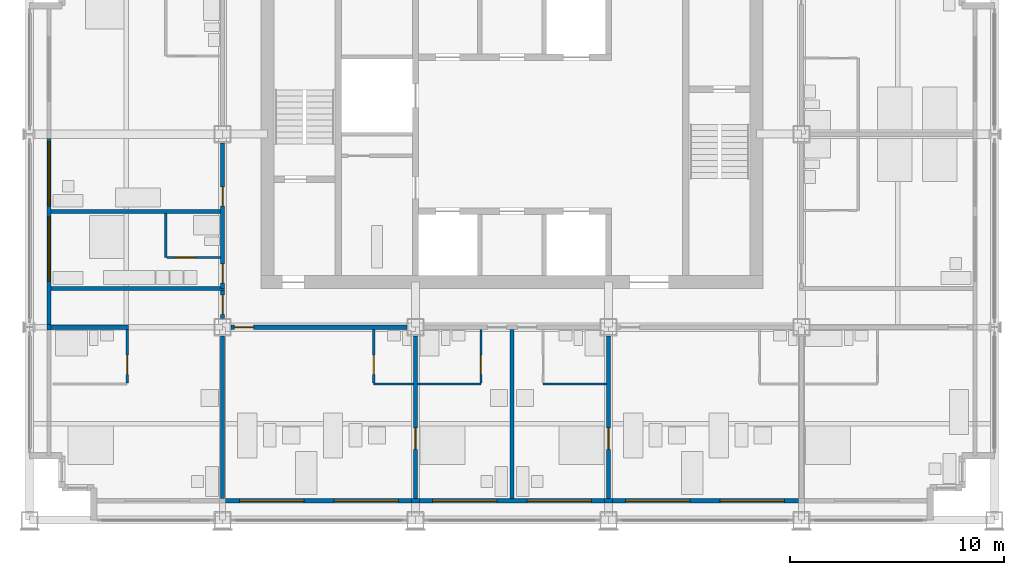
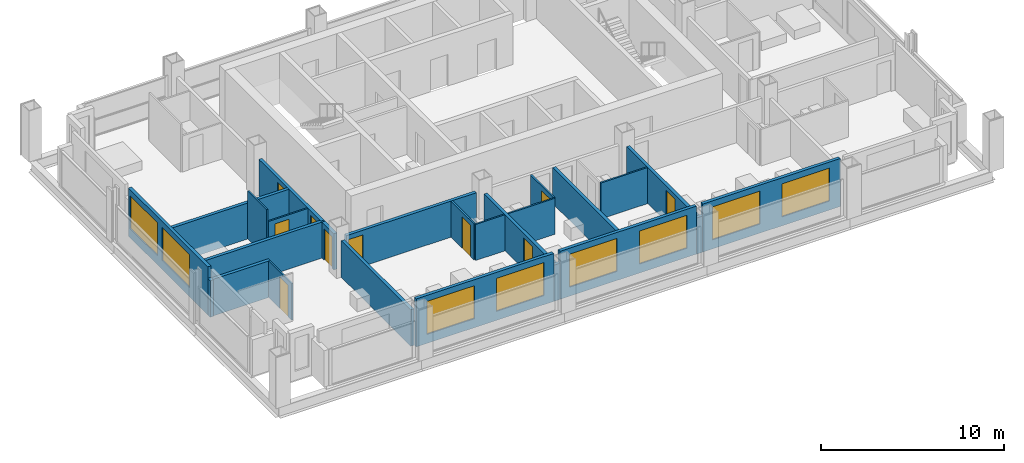
# One storey, part 7 of 13: 25 walls, 10 doors, 8 windows, 18 openings.
"""IFC4 building model written with IfcOpenShell, lengths in metres."""

from ifc_helpers import new_model, si_unit, direction, frame, frame_2d, origin, place, context, subcontext, project, spatial, rectangle, extrude, material, layer, layer_set, type_object, element, fill, save


model = new_model("IFC4")

# Units and contexts
model_context = context("Model", 3, precision=1e-05, world=origin(), true_north=direction((0.0, 1.0)))
body_context = subcontext(model_context, "Body", "Model", "MODEL_VIEW")
ifc_project = project(units=[si_unit("LENGTHUNIT", "METRE"), si_unit("AREAUNIT", "SQUARE_METRE"), si_unit("VOLUMEUNIT", "CUBIC_METRE"), si_unit("PLANEANGLEUNIT", "RADIAN"), si_unit("MASSUNIT", "GRAM", prefix="KILO")], contexts=[model_context])

# Site, building, storey
site_placement = place(None, origin())
site = spatial("IfcSite", under=ifc_project, at=site_placement, CompositionType="ELEMENT")
building_placement = place(site_placement, origin())
building = spatial("IfcBuilding", under=site, at=building_placement, Name="Loomwork Tower", CompositionType="ELEMENT")
storey_placement = place(building_placement, frame((0.0, 0.0, 214.800048828125)))
storey = spatial("IfcBuildingStorey", under=building, at=storey_placement, Name="L59", CompositionType="ELEMENT", Elevation=214.800048828125)

# Wall
ifc_material_1 = material(Name="Gypsum board on steel studs, one-hour", Category="steel")
ifc_layer_1 = layer(ifc_material_1, 0.199951171875)
ifc_layer_set_1 = layer_set([ifc_layer_1], Name="Corridor wall 200")
wall_type_1 = type_object("IfcWallType", Name="Corridor wall 200", PredefinedType="PARTITIONING", material=ifc_layer_set_1)
wall_1_placement = place(storey_placement, frame((1.0, 9.0, 0.0), z_axis=(0.0, 0.0, 1.0), x_axis=(1.0, 0.0, 0.0)))
element("IfcWall", 1, at=wall_1_placement, inside=storey, type_object=wall_type_1, Name="South corridor wall 1", PredefinedType="PARTITIONING", context=body_context, shape_type="SweptSolid", body=[
    extrude(rectangle(XDim=3.60009765625, YDim=0.199951171875, at=frame_2d((1.800048828125, 0.0))), origin(), (0.0, 0.0, 1.0), 2.43798828125),
])

# Wall, opening, door
wall_2_placement = place(storey_placement, frame((9.39990234375, 9.0, 0.0), z_axis=(0.0, 0.0, 1.0), x_axis=(1.0, 0.0, 0.0)))
wall_2 = element("IfcWall", 2, at=wall_2_placement, inside=storey, type_object=wall_type_1, Name="South corridor wall 2", PredefinedType="PARTITIONING", context=body_context, shape_type="SweptSolid", body=[
    extrude(rectangle(XDim=8.2001953125, YDim=0.199951171875, at=frame_2d((4.10009765625, 0.0))), origin(), (0.0, 0.0, 1.0), 2.405029296875),
])
opening_1_placement = place(wall_2_placement, frame((0.14990234375, 0.0, 0.0)))
opening_1 = element("IfcOpeningElement", 3, at=opening_1_placement, cuts=wall_2, Name="Opening D1", PredefinedType="OPENING", context=body_context, shape_type="SweptSolid", body=[
    extrude(rectangle(XDim=0.89990234375, YDim=2.10009765625, at=frame_2d((0.449951171875, 1.050048828125))), frame((0.0, 0.10986328125, 0.0), z_axis=(0.0, -1.0, 0.0), x_axis=(1.0, 0.0, 0.0)), (0.0, 0.0, 1.0), 0.219970703125),
])
ifc_material_2 = material(Name="Hollow metal door and frame")
door_type_1 = type_object("IfcDoorType", Name="Guest room entry door 900", OperationType="SINGLE_SWING_LEFT", PredefinedType="DOOR", material=ifc_material_2)
door_1_placement = place(opening_1_placement, frame((0.89990234375, 0.0, 0.0), z_axis=(0.0, 0.0, 1.0), x_axis=(-1.0, 0.0, 0.0)))
door_1 = element("IfcDoor", 4, at=door_1_placement, inside=storey, type_object=door_type_1, Name="Guest room entry door L59 2", OperationType="SINGLE_SWING_RIGHT", OverallHeight=2.10009765625, OverallWidth=0.89990234375, PredefinedType="DOOR", context=body_context, shape_type="SweptSolid", body=[
    extrude(rectangle(XDim=0.89990234375, YDim=2.10009765625, at=frame_2d((0.449951171875, 1.050048828125))), frame((0.0, 0.02490234375, 0.0), z_axis=(0.0, -1.0, 0.0), x_axis=(1.0, 0.0, 0.0)), (0.0, 0.0, 1.0), 0.050048828125),
])
fill(opening_1, door_1)

# Wall, openings, doors
wall_3_placement = place(storey_placement, frame((9.0, 10.800048828125, 0.0), z_axis=(0.0, 0.0, 1.0), x_axis=(0.0, 1.0, 0.0)))
wall_3 = element("IfcWall", 5, at=wall_3_placement, inside=storey, type_object=wall_type_1, Name="West corridor wall 1", PredefinedType="PARTITIONING", context=body_context, shape_type="SweptSolid", body=[
    extrude(rectangle(XDim=6.800048828125, YDim=0.199951171875, at=frame_2d((3.39990234375, 0.0))), origin(), (0.0, 0.0, 1.0), 2.405029296875),
])
opening_2_placement = place(wall_3_placement, frame((0.25, 0.0, 0.0)))
opening_2 = element("IfcOpeningElement", 6, at=opening_2_placement, cuts=wall_3, Name="Opening D1", PredefinedType="OPENING", context=body_context, shape_type="SweptSolid", body=[
    extrude(rectangle(XDim=0.89990234375, YDim=2.10009765625, at=frame_2d((0.449951171875, 1.050048828125))), frame((0.0, 0.10986328125, 0.0), z_axis=(0.0, -1.0, 0.0), x_axis=(1.0, 0.0, 0.0)), (0.0, 0.0, 1.0), 0.219970703125),
])
opening_3_placement = place(wall_3_placement, frame((3.85009765625, 0.0, 0.0)))
opening_3 = element("IfcOpeningElement", 7, at=opening_3_placement, cuts=wall_3, Name="Opening D1", PredefinedType="OPENING", context=body_context, shape_type="SweptSolid", body=[
    extrude(rectangle(XDim=0.89990234375, YDim=2.10009765625, at=frame_2d((0.449951171875, 1.050048828125))), frame((0.0, 0.10986328125, 0.0), z_axis=(0.0, -1.0, 0.0), x_axis=(1.0, 0.0, 0.0)), (0.0, 0.0, 1.0), 0.219970703125),
])
door_2_placement = place(opening_2_placement, origin())
door_2 = element("IfcDoor", 8, at=door_2_placement, inside=storey, type_object=door_type_1, Name="Guest room entry door L59 7", OperationType="SINGLE_SWING_LEFT", OverallHeight=2.10009765625, OverallWidth=0.89990234375, PredefinedType="DOOR", context=body_context, shape_type="SweptSolid", body=[
    extrude(rectangle(XDim=0.89990234375, YDim=2.10009765625, at=frame_2d((0.449951171875, 1.050048828125))), frame((0.0, 0.02490234375, 0.0), z_axis=(0.0, -1.0, 0.0), x_axis=(1.0, 0.0, 0.0)), (0.0, 0.0, 1.0), 0.050048828125),
])
fill(opening_2, door_2)
door_3_placement = place(opening_3_placement, origin())
door_3 = element("IfcDoor", 9, at=door_3_placement, inside=storey, type_object=door_type_1, Name="Guest room entry door L59 8", OperationType="SINGLE_SWING_LEFT", OverallHeight=2.10009765625, OverallWidth=0.89990234375, PredefinedType="DOOR", context=body_context, shape_type="SweptSolid", body=[
    extrude(rectangle(XDim=0.89990234375, YDim=2.10009765625, at=frame_2d((0.449951171875, 1.050048828125))), frame((0.0, 0.02490234375, 0.0), z_axis=(0.0, -1.0, 0.0), x_axis=(1.0, 0.0, 0.0)), (0.0, 0.0, 1.0), 0.050048828125),
])
fill(opening_3, door_3)

# Wall
wall_4_placement = place(storey_placement, frame((1.0, 10.800048828125, 0.0), z_axis=(0.0, 0.0, 1.0), x_axis=(1.0, 0.0, 0.0)))
element("IfcWall", 10, at=wall_4_placement, inside=storey, type_object=wall_type_1, Name="West band end wall S", PredefinedType="PARTITIONING", context=body_context, shape_type="SweptSolid", body=[
    extrude(rectangle(XDim=8.10009765625, YDim=0.199951171875, at=frame_2d((4.050048828125, 0.0))), origin(), (0.0, 0.0, 1.0), 2.404052734375),
])

# Wall, opening, door
wall_5_placement = place(storey_placement, frame((9.0, 9.39990234375, 0.0), z_axis=(0.0, 0.0, 1.0), x_axis=(0.0, 1.0, 0.0)))
wall_5 = element("IfcWall", 11, at=wall_5_placement, inside=storey, type_object=wall_type_1, Name="Corner suite foyer wall", PredefinedType="PARTITIONING", context=body_context, shape_type="SweptSolid", body=[
    extrude(rectangle(XDim=1.300048828125, YDim=0.199951171875, at=frame_2d((0.64990234375, 0.0))), origin(), (0.0, 0.0, 1.0), 2.405029296875),
])
opening_4_placement = place(wall_5_placement, frame((0.199951171875, 0.0, 0.0)))
opening_4 = element("IfcOpeningElement", 12, at=opening_4_placement, cuts=wall_5, Name="Opening D1", PredefinedType="OPENING", context=body_context, shape_type="SweptSolid", body=[
    extrude(rectangle(XDim=0.89990234375, YDim=2.10009765625, at=frame_2d((0.449951171875, 1.050048828125))), frame((0.0, 0.10986328125, 0.0), z_axis=(0.0, -1.0, 0.0), x_axis=(1.0, 0.0, 0.0)), (0.0, 0.0, 1.0), 0.219970703125),
])
door_4_placement = place(opening_4_placement, origin())
door_4 = element("IfcDoor", 13, at=door_4_placement, inside=storey, type_object=door_type_1, Name="Guest room entry door L59 1", OperationType="SINGLE_SWING_RIGHT", OverallHeight=2.10009765625, OverallWidth=0.89990234375, PredefinedType="DOOR", context=body_context, shape_type="SweptSolid", body=[
    extrude(rectangle(XDim=0.89990234375, YDim=2.10009765625, at=frame_2d((0.449951171875, 1.050048828125))), frame((0.0, 0.02490234375, 0.0), z_axis=(0.0, -1.0, 0.0), x_axis=(1.0, 0.0, 0.0)), (0.0, 0.0, 1.0), 0.050048828125),
])
fill(opening_4, door_4)

ifc_material_3 = material(Name="Cement board on steel studs", Category="steel")
ifc_layer_2 = layer(ifc_material_3, 0.10009765625)
ifc_layer_set_2 = layer_set([ifc_layer_2], Name="En-suite partition 100")
wall_type_2 = type_object("IfcWallType", Name="En-suite partition 100", PredefinedType="PARTITIONING", material=ifc_layer_set_2)
wall_6_placement = place(storey_placement, frame((4.550048828125, 8.89990234375, 0.0), z_axis=(0.0, 0.0, 1.0), x_axis=(0.0, -1.0, 0.0)))
wall_6 = element("IfcWall", 14, at=wall_6_placement, inside=storey, type_object=wall_type_2, Name="En-suite side wall L59 room 1", PredefinedType="PARTITIONING", context=body_context, shape_type="SweptSolid", body=[
    extrude(rectangle(XDim=2.5, YDim=0.10009765625, at=frame_2d((1.25, 0.0))), origin(), (0.0, 0.0, 1.0), 2.43798828125),
])
opening_5_placement = place(wall_6_placement, frame((1.199951171875, 0.0, 0.0)))
opening_5 = element("IfcOpeningElement", 15, at=opening_5_placement, cuts=wall_6, Name="Opening D3", PredefinedType="OPENING", context=body_context, shape_type="SweptSolid", body=[
    extrude(rectangle(XDim=0.89990234375, YDim=2.10009765625, at=frame_2d((0.449951171875, 1.050048828125))), frame((0.0, 0.06005859375, 0.0), z_axis=(0.0, -1.0, 0.0), x_axis=(1.0, 0.0, 0.0)), (0.0, 0.0, 1.0), 0.1201171875),
])
ifc_material_4 = material(Name="Hollow metal door and frame")
door_type_2 = type_object("IfcDoorType", Name="Accessible en-suite door 900", OperationType="SLIDING_TO_LEFT", PredefinedType="DOOR", material=ifc_material_4)
door_5_placement = place(opening_5_placement, origin())
door_5 = element("IfcDoor", 16, at=door_5_placement, inside=storey, type_object=door_type_2, Name="Accessible en-suite door room 1", OperationType="SLIDING_TO_LEFT", OverallHeight=2.10009765625, OverallWidth=0.89990234375, PredefinedType="DOOR", context=body_context, shape_type="SweptSolid", body=[
    extrude(rectangle(XDim=0.89990234375, YDim=2.10009765625, at=frame_2d((0.449951171875, 1.050048828125))), frame((0.0, 0.02490234375, 0.0), z_axis=(0.0, -1.0, 0.0), x_axis=(1.0, 0.0, 0.0)), (0.0, 0.0, 1.0), 0.050048828125),
])
fill(opening_5, door_5)

# Wall
wall_7_placement = place(storey_placement, frame((16.050048828125, 6.35009765625, 0.0), z_axis=(0.0, 0.0, 1.0), x_axis=(1.0, 0.0, 0.0)))
element("IfcWall", 17, at=wall_7_placement, inside=storey, type_object=wall_type_2, Name="En-suite wall L59 room 2", PredefinedType="PARTITIONING", context=body_context, shape_type="SweptSolid", body=[
    extrude(rectangle(XDim=1.849853515625, YDim=0.10009765625, at=frame_2d((0.9248046875, 0.0))), origin(), (0.0, 0.0, 1.0), 2.404052734375),
])

# Wall, opening, door
wall_8_placement = place(storey_placement, frame((16.050048828125, 8.89990234375, 0.0), z_axis=(0.0, 0.0, 1.0), x_axis=(0.0, -1.0, 0.0)))
wall_8 = element("IfcWall", 18, at=wall_8_placement, inside=storey, type_object=wall_type_2, Name="En-suite side wall L59 room 2", PredefinedType="PARTITIONING", context=body_context, shape_type="SweptSolid", body=[
    extrude(rectangle(XDim=2.5, YDim=0.10009765625, at=frame_2d((1.25, 0.0))), origin(), (0.0, 0.0, 1.0), 2.404052734375),
])
opening_6_placement = place(wall_8_placement, frame((1.199951171875, 0.0, 0.0)))
opening_6 = element("IfcOpeningElement", 19, at=opening_6_placement, cuts=wall_8, Name="Opening D2", PredefinedType="OPENING", context=body_context, shape_type="SweptSolid", body=[
    extrude(rectangle(XDim=0.89990234375, YDim=2.10009765625, at=frame_2d((0.449951171875, 1.050048828125))), frame((0.0, 0.06005859375, 0.0), z_axis=(0.0, -1.0, 0.0), x_axis=(1.0, 0.0, 0.0)), (0.0, 0.0, 1.0), 0.1201171875),
])
ifc_material_5 = material(Name="Hollow metal door and frame")
door_type_3 = type_object("IfcDoorType", Name="En-suite door 900", OperationType="SINGLE_SWING_LEFT", PredefinedType="DOOR", material=ifc_material_5)
door_6_placement = place(opening_6_placement, origin())
door_6 = element("IfcDoor", 20, at=door_6_placement, inside=storey, type_object=door_type_3, Name="Suite powder room door room 2", OperationType="SINGLE_SWING_RIGHT", OverallHeight=2.10009765625, OverallWidth=0.89990234375, PredefinedType="DOOR", context=body_context, shape_type="SweptSolid", body=[
    extrude(rectangle(XDim=0.89990234375, YDim=2.10009765625, at=frame_2d((0.449951171875, 1.050048828125))), frame((0.0, 0.02490234375, 0.0), z_axis=(0.0, -1.0, 0.0), x_axis=(1.0, 0.0, 0.0)), (0.0, 0.0, 1.0), 0.050048828125),
])
fill(opening_6, door_6)

# Wall
wall_9_placement = place(storey_placement, frame((18.10009765625, 6.35009765625, 0.0), z_axis=(0.0, 0.0, 1.0), x_axis=(1.0, 0.0, 0.0)))
element("IfcWall", 21, at=wall_9_placement, inside=storey, type_object=wall_type_2, Name="En-suite wall L59 room 3", PredefinedType="PARTITIONING", context=body_context, shape_type="SweptSolid", body=[
    extrude(rectangle(XDim=2.949951171875, YDim=0.10009765625, at=frame_2d((1.47509765625, 0.0))), origin(), (0.0, 0.0, 1.0), 2.404052734375),
])

# Wall, opening, door
wall_10_placement = place(storey_placement, frame((21.050048828125, 8.89990234375, 0.0), z_axis=(0.0, 0.0, 1.0), x_axis=(0.0, -1.0, 0.0)))
wall_10 = element("IfcWall", 22, at=wall_10_placement, inside=storey, type_object=wall_type_2, Name="En-suite side wall L59 room 3", PredefinedType="PARTITIONING", context=body_context, shape_type="SweptSolid", body=[
    extrude(rectangle(XDim=2.5, YDim=0.10009765625, at=frame_2d((1.25, 0.0))), origin(), (0.0, 0.0, 1.0), 2.404052734375),
])
opening_7_placement = place(wall_10_placement, frame((1.199951171875, 0.0, 0.0)))
opening_7 = element("IfcOpeningElement", 23, at=opening_7_placement, cuts=wall_10, Name="Opening D2", PredefinedType="OPENING", context=body_context, shape_type="SweptSolid", body=[
    extrude(rectangle(XDim=0.89990234375, YDim=2.10009765625, at=frame_2d((0.449951171875, 1.050048828125))), frame((0.0, 0.06005859375, 0.0), z_axis=(0.0, -1.0, 0.0), x_axis=(1.0, 0.0, 0.0)), (0.0, 0.0, 1.0), 0.1201171875),
])
door_7_placement = place(opening_7_placement, frame((0.89990234375, 0.0, 0.0), z_axis=(0.0, 0.0, 1.0), x_axis=(-1.0, 0.0, 0.0)))
door_7 = element("IfcDoor", 24, at=door_7_placement, inside=storey, type_object=door_type_3, Name="En-suite door room 3", OperationType="SINGLE_SWING_LEFT", OverallHeight=2.10009765625, OverallWidth=0.89990234375, PredefinedType="DOOR", context=body_context, shape_type="SweptSolid", body=[
    extrude(rectangle(XDim=0.89990234375, YDim=2.10009765625, at=frame_2d((0.449951171875, 1.050048828125))), frame((0.0, 0.02490234375, 0.0), z_axis=(0.0, -1.0, 0.0), x_axis=(1.0, 0.0, 0.0)), (0.0, 0.0, 1.0), 0.050048828125),
])
fill(opening_7, door_7)

# Walls
wall_11_placement = place(storey_placement, frame((23.949951171875, 6.35009765625, 0.0), z_axis=(0.0, 0.0, 1.0), x_axis=(1.0, 0.0, 0.0)))
element("IfcWall", 25, at=wall_11_placement, inside=storey, type_object=wall_type_2, Name="En-suite wall L59 room 4", PredefinedType="PARTITIONING", context=body_context, shape_type="SweptSolid", body=[
    extrude(rectangle(XDim=2.949951171875, YDim=0.10009765625, at=frame_2d((1.47509765625, 0.0))), origin(), (0.0, 0.0, 1.0), 2.404052734375),
])
wall_12_placement = place(storey_placement, frame((6.35009765625, 12.25, 0.0), z_axis=(0.0, 0.0, 1.0), x_axis=(0.0, 1.0, 0.0)))
element("IfcWall", 26, at=wall_12_placement, inside=storey, type_object=wall_type_2, Name="En-suite wall L59 room 7", PredefinedType="PARTITIONING", context=body_context, shape_type="SweptSolid", body=[
    extrude(rectangle(XDim=2.050048828125, YDim=0.10009765625, at=frame_2d((1.02490234375, 0.0))), origin(), (0.0, 0.0, 1.0), 3.199951171875),
])

# Wall, opening, door
wall_13_placement = place(storey_placement, frame((8.89990234375, 12.25, 0.0), z_axis=(0.0, 0.0, 1.0), x_axis=(-1.0, 0.0, 0.0)))
wall_13 = element("IfcWall", 27, at=wall_13_placement, inside=storey, type_object=wall_type_2, Name="En-suite side wall L59 room 7", PredefinedType="PARTITIONING", context=body_context, shape_type="SweptSolid", body=[
    extrude(rectangle(XDim=2.5, YDim=0.10009765625, at=frame_2d((1.25, 0.0))), origin(), (0.0, 0.0, 1.0), 2.404052734375),
])
opening_8_placement = place(wall_13_placement, frame((1.199951171875, 0.0, 0.0)))
opening_8 = element("IfcOpeningElement", 28, at=opening_8_placement, cuts=wall_13, Name="Opening D2", PredefinedType="OPENING", context=body_context, shape_type="SweptSolid", body=[
    extrude(rectangle(XDim=0.89990234375, YDim=2.10009765625, at=frame_2d((0.449951171875, 1.050048828125))), frame((0.0, 0.06005859375, 0.0), z_axis=(0.0, -1.0, 0.0), x_axis=(1.0, 0.0, 0.0)), (0.0, 0.0, 1.0), 0.1201171875),
])
door_8_placement = place(opening_8_placement, frame((0.89990234375, 0.0, 0.0), z_axis=(0.0, 0.0, 1.0), x_axis=(-1.0, 0.0, 0.0)))
door_8 = element("IfcDoor", 29, at=door_8_placement, inside=storey, type_object=door_type_3, Name="En-suite door room 7", OperationType="SINGLE_SWING_LEFT", OverallHeight=2.10009765625, OverallWidth=0.89990234375, PredefinedType="DOOR", context=body_context, shape_type="SweptSolid", body=[
    extrude(rectangle(XDim=0.89990234375, YDim=2.10009765625, at=frame_2d((0.449951171875, 1.050048828125))), frame((0.0, 0.02490234375, 0.0), z_axis=(0.0, -1.0, 0.0), x_axis=(1.0, 0.0, 0.0)), (0.0, 0.0, 1.0), 0.050048828125),
])
fill(opening_8, door_8)

# Wall
ifc_material_6 = material(Name="Gypsum board on steel studs, acoustic", Category="steel")
ifc_layer_3 = layer(ifc_material_6, 0.199951171875)
ifc_layer_set_3 = layer_set([ifc_layer_3], Name="Guest room party wall 200")
wall_type_3 = type_object("IfcWallType", Name="Guest room party wall 200", PredefinedType="PARTITIONING", material=ifc_layer_set_3)
wall_14_placement = place(storey_placement, frame((9.0, 8.60009765625, 0.0), z_axis=(0.0, 0.0, 1.0), x_axis=(0.0, -1.0, 0.0)))
element("IfcWall", 30, at=wall_14_placement, inside=storey, type_object=wall_type_3, Name="Guest room party wall S 9", PredefinedType="PARTITIONING", context=body_context, shape_type="SweptSolid", body=[
    extrude(rectangle(XDim=7.60009765625, YDim=0.199951171875, at=frame_2d((3.800048828125, 0.0))), origin(), (0.0, 0.0, 1.0), 2.43798828125),
])

# Wall, opening, door
wall_15_placement = place(storey_placement, frame((18.0, 8.60009765625, 0.0), z_axis=(0.0, 0.0, 1.0), x_axis=(0.0, -1.0, 0.0)))
wall_15 = element("IfcWall", 31, at=wall_15_placement, inside=storey, type_object=wall_type_3, Name="Guest room party wall S 18", PredefinedType="PARTITIONING", context=body_context, shape_type="SweptSolid", body=[
    extrude(rectangle(XDim=7.60009765625, YDim=0.199951171875, at=frame_2d((3.800048828125, 0.0))), origin(), (0.0, 0.0, 1.0), 2.405029296875),
])
opening_9_placement = place(wall_15_placement, frame((4.300048828125, 0.0, 0.0)))
opening_9 = element("IfcOpeningElement", 32, at=opening_9_placement, cuts=wall_15, Name="Opening D7", PredefinedType="OPENING", context=body_context, shape_type="SweptSolid", body=[
    extrude(rectangle(XDim=1.0, YDim=2.10009765625, at=frame_2d((0.5, 1.050048828125))), frame((0.0, 0.10986328125, 0.0), z_axis=(0.0, -1.0, 0.0), x_axis=(1.0, 0.0, 0.0)), (0.0, 0.0, 1.0), 0.219970703125),
])
ifc_material_7 = material(Name="Hollow metal door and frame")
door_type_4 = type_object("IfcDoorType", Name="Room door 1000", OperationType="SINGLE_SWING_LEFT", PredefinedType="DOOR", material=ifc_material_7)
door_9_placement = place(opening_9_placement, origin())
door_9 = element("IfcDoor", 33, at=door_9_placement, inside=storey, type_object=door_type_4, Name="Suite connecting door L59 S 18", OperationType="SINGLE_SWING_LEFT", OverallHeight=2.10009765625, OverallWidth=1.0, PredefinedType="DOOR", context=body_context, shape_type="SweptSolid", body=[
    extrude(rectangle(XDim=1.0, YDim=2.10009765625, at=frame_2d((0.5, 1.050048828125))), frame((0.0, 0.02490234375, 0.0), z_axis=(0.0, -1.0, 0.0), x_axis=(1.0, 0.0, 0.0)), (0.0, 0.0, 1.0), 0.050048828125),
])
fill(opening_9, door_9)

# Wall
wall_16_placement = place(storey_placement, frame((22.5, 8.89990234375, 0.0), z_axis=(0.0, 0.0, 1.0), x_axis=(0.0, -1.0, 0.0)))
element("IfcWall", 34, at=wall_16_placement, inside=storey, type_object=wall_type_3, Name="Guest room party wall S 22.5", PredefinedType="PARTITIONING", context=body_context, shape_type="SweptSolid", body=[
    extrude(rectangle(XDim=7.89990234375, YDim=0.199951171875, at=frame_2d((3.949951171875, 0.0))), origin(), (0.0, 0.0, 1.0), 2.404052734375),
])

# Wall, opening, door
wall_17_placement = place(storey_placement, frame((27.0, 8.60009765625, 0.0), z_axis=(0.0, 0.0, 1.0), x_axis=(0.0, -1.0, 0.0)))
wall_17 = element("IfcWall", 35, at=wall_17_placement, inside=storey, type_object=wall_type_3, Name="Guest room party wall S 27", PredefinedType="PARTITIONING", context=body_context, shape_type="SweptSolid", body=[
    extrude(rectangle(XDim=7.60009765625, YDim=0.199951171875, at=frame_2d((3.800048828125, 0.0))), origin(), (0.0, 0.0, 1.0), 2.405029296875),
])
opening_10_placement = place(wall_17_placement, frame((4.300048828125, 0.0, 0.0)))
opening_10 = element("IfcOpeningElement", 36, at=opening_10_placement, cuts=wall_17, Name="Opening D7", PredefinedType="OPENING", context=body_context, shape_type="SweptSolid", body=[
    extrude(rectangle(XDim=1.0, YDim=2.10009765625, at=frame_2d((0.5, 1.050048828125))), frame((0.0, 0.10986328125, 0.0), z_axis=(0.0, -1.0, 0.0), x_axis=(1.0, 0.0, 0.0)), (0.0, 0.0, 1.0), 0.219970703125),
])
door_10_placement = place(opening_10_placement, frame((1.0, 0.0, 0.0), z_axis=(0.0, 0.0, 1.0), x_axis=(-1.0, 0.0, 0.0)))
door_10 = element("IfcDoor", 37, at=door_10_placement, inside=storey, type_object=door_type_4, Name="Suite connecting door L59 S 27", OperationType="SINGLE_SWING_RIGHT", OverallHeight=2.10009765625, OverallWidth=1.0, PredefinedType="DOOR", context=body_context, shape_type="SweptSolid", body=[
    extrude(rectangle(XDim=1.0, YDim=2.10009765625, at=frame_2d((0.5, 1.050048828125))), frame((0.0, 0.02490234375, 0.0), z_axis=(0.0, -1.0, 0.0), x_axis=(1.0, 0.0, 0.0)), (0.0, 0.0, 1.0), 0.050048828125),
])
fill(opening_10, door_10)

# Wall
wall_18_placement = place(storey_placement, frame((8.89990234375, 14.39990234375, 0.0), z_axis=(0.0, 0.0, 1.0), x_axis=(-1.0, 0.0, 0.0)))
element("IfcWall", 38, at=wall_18_placement, inside=storey, type_object=wall_type_3, Name="Guest room party wall W 14.4", PredefinedType="PARTITIONING", context=body_context, shape_type="SweptSolid", body=[
    extrude(rectangle(XDim=7.89990234375, YDim=0.199951171875, at=frame_2d((3.949951171875, 0.0))), origin(), (0.0, 0.0, 1.0), 2.404052734375),
])

# Wall, openings, windows
ifc_material_8 = material(Name="Insulated steel stud wall with gypsum lining", Category="steel")
ifc_layer_4 = layer(ifc_material_8, 0.199951171875)
ifc_layer_set_4 = layer_set([ifc_layer_4], Name="Inner skin wall 200")
wall_type_4 = type_object("IfcWallType", Name="Inner skin wall 200", PredefinedType="SOLIDWALL", material=ifc_layer_set_4)
wall_19_placement = place(storey_placement, frame((9.13525390625, 0.89990234375, 0.0), z_axis=(0.0, 0.0, 1.0), x_axis=(1.0, 0.0, 0.0)))
wall_19 = element("IfcWall", 39, at=wall_19_placement, inside=storey, type_object=wall_type_4, Name="Inner skin wall S bay 3", PredefinedType="SOLIDWALL", context=body_context, shape_type="SweptSolid", body=[
    extrude(rectangle(XDim=8.6708984375, YDim=0.199951171875, at=frame_2d((4.33544921875, 0.0))), origin(), (0.0, 0.0, 1.0), 3.199951171875),
])
opening_11_placement = place(wall_19_placement, frame((0.664794921875, 0.0, 0.60009765625)))
opening_11 = element("IfcOpeningElement", 40, at=opening_11_placement, cuts=wall_19, Name="Opening CH1", PredefinedType="OPENING", context=body_context, shape_type="SweptSolid", body=[
    extrude(rectangle(XDim=3.0, YDim=2.199951171875, at=frame_2d((1.5, 1.10009765625))), frame((0.0, 0.10986328125, 0.0), z_axis=(0.0, -1.0, 0.0), x_axis=(1.0, 0.0, 0.0)), (0.0, 0.0, 1.0), 0.219970703125),
])
opening_12_placement = place(wall_19_placement, frame((5.064697265625, 0.0, 0.60009765625)))
opening_12 = element("IfcOpeningElement", 41, at=opening_12_placement, cuts=wall_19, Name="Opening CH1", PredefinedType="OPENING", context=body_context, shape_type="SweptSolid", body=[
    extrude(rectangle(XDim=3.0, YDim=2.199951171875, at=frame_2d((1.5, 1.10009765625))), frame((0.0, 0.10986328125, 0.0), z_axis=(0.0, -1.0, 0.0), x_axis=(1.0, 0.0, 0.0)), (0.0, 0.0, 1.0), 0.219970703125),
])
ifc_material_9 = material(Name="Aluminium frame with clear insulated glass", Category="aluminium")
window_type = type_object("IfcWindowType", Name="Chicago window 3000", PartitioningType="TRIPLE_PANEL_VERTICAL", PredefinedType="WINDOW", material=ifc_material_9)
window_1_placement = place(opening_11_placement, origin())
window_1 = element("IfcWindow", 42, at=window_1_placement, inside=storey, type_object=window_type, Name="Chicago window L59 bay 2", OverallHeight=2.199951171875, OverallWidth=3.0, PartitioningType="TRIPLE_PANEL_VERTICAL", PredefinedType="WINDOW", context=body_context, shape_type="SweptSolid", body=[
    extrude(rectangle(XDim=3.0, YDim=2.199951171875, at=frame_2d((1.5, 1.10009765625))), frame((0.0, 0.030029296875, 0.0), z_axis=(0.0, -1.0, 0.0), x_axis=(1.0, 0.0, 0.0)), (0.0, 0.0, 1.0), 0.06005859375),
])
fill(opening_11, window_1)
window_2_placement = place(opening_12_placement, origin())
window_2 = element("IfcWindow", 43, at=window_2_placement, inside=storey, type_object=window_type, Name="Chicago window L59 bay 2", OverallHeight=2.199951171875, OverallWidth=3.0, PartitioningType="TRIPLE_PANEL_VERTICAL", PredefinedType="WINDOW", context=body_context, shape_type="SweptSolid", body=[
    extrude(rectangle(XDim=3.0, YDim=2.199951171875, at=frame_2d((1.5, 1.10009765625))), frame((0.0, 0.030029296875, 0.0), z_axis=(0.0, -1.0, 0.0), x_axis=(1.0, 0.0, 0.0)), (0.0, 0.0, 1.0), 0.06005859375),
])
fill(opening_12, window_2)

# Wall
wall_20_placement = place(storey_placement, frame((17.80615234375, 0.89990234375, 0.0), z_axis=(0.0, 0.0, 1.0), x_axis=(1.0, 0.0, 0.0)))
element("IfcWall", 44, at=wall_20_placement, inside=storey, type_object=wall_type_4, Name="Inner skin wall S bay 4", PredefinedType="SOLIDWALL", context=body_context, shape_type="SweptSolid", body=[
    extrude(rectangle(XDim=0.3876953125, YDim=0.199951171875, at=frame_2d((0.19384765625, 0.0))), origin(), (0.0, 0.0, 1.0), 2.404052734375),
])

# Wall, openings, windows
wall_21_placement = place(storey_placement, frame((18.19384765625, 0.89990234375, 0.0), z_axis=(0.0, 0.0, 1.0), x_axis=(1.0, 0.0, 0.0)))
wall_21 = element("IfcWall", 45, at=wall_21_placement, inside=storey, type_object=wall_type_4, Name="Inner skin wall S bay 5", PredefinedType="SOLIDWALL", context=body_context, shape_type="SweptSolid", body=[
    extrude(rectangle(XDim=8.6123046875, YDim=0.199951171875, at=frame_2d((4.30615234375, 0.0))), origin(), (0.0, 0.0, 1.0), 3.199951171875),
])
opening_13_placement = place(wall_21_placement, frame((0.606201171875, 0.0, 0.60009765625)))
opening_13 = element("IfcOpeningElement", 46, at=opening_13_placement, cuts=wall_21, Name="Opening CH1", PredefinedType="OPENING", context=body_context, shape_type="SweptSolid", body=[
    extrude(rectangle(XDim=3.0, YDim=2.199951171875, at=frame_2d((1.5, 1.10009765625))), frame((0.0, 0.10986328125, 0.0), z_axis=(0.0, -1.0, 0.0), x_axis=(1.0, 0.0, 0.0)), (0.0, 0.0, 1.0), 0.219970703125),
])
opening_14_placement = place(wall_21_placement, frame((5.006103515625, 0.0, 0.60009765625)))
opening_14 = element("IfcOpeningElement", 47, at=opening_14_placement, cuts=wall_21, Name="Opening CH1", PredefinedType="OPENING", context=body_context, shape_type="SweptSolid", body=[
    extrude(rectangle(XDim=3.0, YDim=2.199951171875, at=frame_2d((1.5, 1.10009765625))), frame((0.0, 0.10986328125, 0.0), z_axis=(0.0, -1.0, 0.0), x_axis=(1.0, 0.0, 0.0)), (0.0, 0.0, 1.0), 0.219970703125),
])
window_3_placement = place(opening_13_placement, origin())
window_3 = element("IfcWindow", 48, at=window_3_placement, inside=storey, type_object=window_type, Name="Chicago window L59 bay 3", OverallHeight=2.199951171875, OverallWidth=3.0, PartitioningType="TRIPLE_PANEL_VERTICAL", PredefinedType="WINDOW", context=body_context, shape_type="SweptSolid", body=[
    extrude(rectangle(XDim=3.0, YDim=2.199951171875, at=frame_2d((1.5, 1.10009765625))), frame((0.0, 0.030029296875, 0.0), z_axis=(0.0, -1.0, 0.0), x_axis=(1.0, 0.0, 0.0)), (0.0, 0.0, 1.0), 0.06005859375),
])
fill(opening_13, window_3)
window_4_placement = place(opening_14_placement, origin())
window_4 = element("IfcWindow", 49, at=window_4_placement, inside=storey, type_object=window_type, Name="Chicago window L59 bay 3", OverallHeight=2.199951171875, OverallWidth=3.0, PartitioningType="TRIPLE_PANEL_VERTICAL", PredefinedType="WINDOW", context=body_context, shape_type="SweptSolid", body=[
    extrude(rectangle(XDim=3.0, YDim=2.199951171875, at=frame_2d((1.5, 1.10009765625))), frame((0.0, 0.030029296875, 0.0), z_axis=(0.0, -1.0, 0.0), x_axis=(1.0, 0.0, 0.0)), (0.0, 0.0, 1.0), 0.06005859375),
])
fill(opening_14, window_4)

# Wall
wall_22_placement = place(storey_placement, frame((26.80615234375, 0.89990234375, 0.0), z_axis=(0.0, 0.0, 1.0), x_axis=(1.0, 0.0, 0.0)))
element("IfcWall", 50, at=wall_22_placement, inside=storey, type_object=wall_type_4, Name="Inner skin wall S bay 6", PredefinedType="SOLIDWALL", context=body_context, shape_type="SweptSolid", body=[
    extrude(rectangle(XDim=0.3876953125, YDim=0.199951171875, at=frame_2d((0.19384765625, 0.0))), origin(), (0.0, 0.0, 1.0), 2.404052734375),
])

# Wall, openings, windows
wall_23_placement = place(storey_placement, frame((27.19384765625, 0.89990234375, 0.0), z_axis=(0.0, 0.0, 1.0), x_axis=(1.0, 0.0, 0.0)))
wall_23 = element("IfcWall", 51, at=wall_23_placement, inside=storey, type_object=wall_type_4, Name="Inner skin wall S bay 7", PredefinedType="SOLIDWALL", context=body_context, shape_type="SweptSolid", body=[
    extrude(rectangle(XDim=8.670654296875, YDim=0.199951171875, at=frame_2d((4.33544921875, 0.0))), origin(), (0.0, 0.0, 1.0), 3.199951171875),
])
opening_15_placement = place(wall_23_placement, frame((0.606201171875, 0.0, 0.60009765625)))
opening_15 = element("IfcOpeningElement", 52, at=opening_15_placement, cuts=wall_23, Name="Opening CH1", PredefinedType="OPENING", context=body_context, shape_type="SweptSolid", body=[
    extrude(rectangle(XDim=3.0, YDim=2.199951171875, at=frame_2d((1.5, 1.10009765625))), frame((0.0, 0.10986328125, 0.0), z_axis=(0.0, -1.0, 0.0), x_axis=(1.0, 0.0, 0.0)), (0.0, 0.0, 1.0), 0.219970703125),
])
opening_16_placement = place(wall_23_placement, frame((5.006103515625, 0.0, 0.60009765625)))
opening_16 = element("IfcOpeningElement", 53, at=opening_16_placement, cuts=wall_23, Name="Opening CH1", PredefinedType="OPENING", context=body_context, shape_type="SweptSolid", body=[
    extrude(rectangle(XDim=3.0, YDim=2.199951171875, at=frame_2d((1.5, 1.10009765625))), frame((0.0, 0.10986328125, 0.0), z_axis=(0.0, -1.0, 0.0), x_axis=(1.0, 0.0, 0.0)), (0.0, 0.0, 1.0), 0.219970703125),
])
window_5_placement = place(opening_15_placement, origin())
window_5 = element("IfcWindow", 54, at=window_5_placement, inside=storey, type_object=window_type, Name="Chicago window L59 bay 4", OverallHeight=2.199951171875, OverallWidth=3.0, PartitioningType="TRIPLE_PANEL_VERTICAL", PredefinedType="WINDOW", context=body_context, shape_type="SweptSolid", body=[
    extrude(rectangle(XDim=3.0, YDim=2.199951171875, at=frame_2d((1.5, 1.10009765625))), frame((0.0, 0.030029296875, 0.0), z_axis=(0.0, -1.0, 0.0), x_axis=(1.0, 0.0, 0.0)), (0.0, 0.0, 1.0), 0.06005859375),
])
fill(opening_15, window_5)
window_6_placement = place(opening_16_placement, origin())
window_6 = element("IfcWindow", 55, at=window_6_placement, inside=storey, type_object=window_type, Name="Chicago window L59 bay 4", OverallHeight=2.199951171875, OverallWidth=3.0, PartitioningType="TRIPLE_PANEL_VERTICAL", PredefinedType="WINDOW", context=body_context, shape_type="SweptSolid", body=[
    extrude(rectangle(XDim=3.0, YDim=2.199951171875, at=frame_2d((1.5, 1.10009765625))), frame((0.0, 0.030029296875, 0.0), z_axis=(0.0, -1.0, 0.0), x_axis=(1.0, 0.0, 0.0)), (0.0, 0.0, 1.0), 0.06005859375),
])
fill(opening_16, window_6)

# Wall
wall_24_placement = place(storey_placement, frame((0.89990234375, 8.86474609375, 0.0), z_axis=(0.0, 0.0, 1.0), x_axis=(0.0, 1.0, 0.0)))
element("IfcWall", 56, at=wall_24_placement, inside=storey, type_object=wall_type_4, Name="Inner skin wall W bay 4", PredefinedType="SOLIDWALL", context=body_context, shape_type="SweptSolid", body=[
    extrude(rectangle(XDim=0.2705078125, YDim=0.199951171875, at=frame_2d((0.13525390625, 0.0))), origin(), (0.0, 0.0, 1.0), 2.43798828125),
])

# Wall, openings, windows
wall_25_placement = place(storey_placement, frame((0.89990234375, 9.13525390625, 0.0), z_axis=(0.0, 0.0, 1.0), x_axis=(0.0, 1.0, 0.0)))
wall_25 = element("IfcWall", 57, at=wall_25_placement, inside=storey, type_object=wall_type_4, Name="Inner skin wall W bay 5", PredefinedType="SOLIDWALL", context=body_context, shape_type="SweptSolid", body=[
    extrude(rectangle(XDim=8.6708984375, YDim=0.199951171875, at=frame_2d((4.33544921875, 0.0))), origin(), (0.0, 0.0, 1.0), 3.199951171875),
])
opening_17_placement = place(wall_25_placement, frame((2.0146484375, 0.0, 0.60009765625)))
opening_17 = element("IfcOpeningElement", 58, at=opening_17_placement, cuts=wall_25, Name="Opening CH1", PredefinedType="OPENING", context=body_context, shape_type="SweptSolid", body=[
    extrude(rectangle(XDim=3.0, YDim=2.199951171875, at=frame_2d((1.5, 1.10009765625))), frame((0.0, 0.10986328125, 0.0), z_axis=(0.0, -1.0, 0.0), x_axis=(1.0, 0.0, 0.0)), (0.0, 0.0, 1.0), 0.219970703125),
])
opening_18_placement = place(wall_25_placement, frame((5.5146484375, 0.0, 0.60009765625)))
opening_18 = element("IfcOpeningElement", 59, at=opening_18_placement, cuts=wall_25, Name="Opening CH1", PredefinedType="OPENING", context=body_context, shape_type="SweptSolid", body=[
    extrude(rectangle(XDim=3.0, YDim=2.199951171875, at=frame_2d((1.5, 1.10009765625))), frame((0.0, 0.10986328125, 0.0), z_axis=(0.0, -1.0, 0.0), x_axis=(1.0, 0.0, 0.0)), (0.0, 0.0, 1.0), 0.219970703125),
])
window_7_placement = place(opening_17_placement, origin())
window_7 = element("IfcWindow", 60, at=window_7_placement, inside=storey, type_object=window_type, Name="Chicago window L59 bay 6", OverallHeight=2.199951171875, OverallWidth=3.0, PartitioningType="TRIPLE_PANEL_VERTICAL", PredefinedType="WINDOW", context=body_context, shape_type="SweptSolid", body=[
    extrude(rectangle(XDim=3.0, YDim=2.199951171875, at=frame_2d((1.5, 1.10009765625))), frame((0.0, 0.030029296875, 0.0), z_axis=(0.0, -1.0, 0.0), x_axis=(1.0, 0.0, 0.0)), (0.0, 0.0, 1.0), 0.06005859375),
])
fill(opening_17, window_7)
window_8_placement = place(opening_18_placement, origin())
window_8 = element("IfcWindow", 61, at=window_8_placement, inside=storey, type_object=window_type, Name="Chicago window L59 bay 6", OverallHeight=2.199951171875, OverallWidth=3.0, PartitioningType="TRIPLE_PANEL_VERTICAL", PredefinedType="WINDOW", context=body_context, shape_type="SweptSolid", body=[
    extrude(rectangle(XDim=3.0, YDim=2.199951171875, at=frame_2d((1.5, 1.10009765625))), frame((0.0, 0.030029296875, 0.0), z_axis=(0.0, -1.0, 0.0), x_axis=(1.0, 0.0, 0.0)), (0.0, 0.0, 1.0), 0.06005859375),
])
fill(opening_18, window_8)

save(model, "model.ifc")
